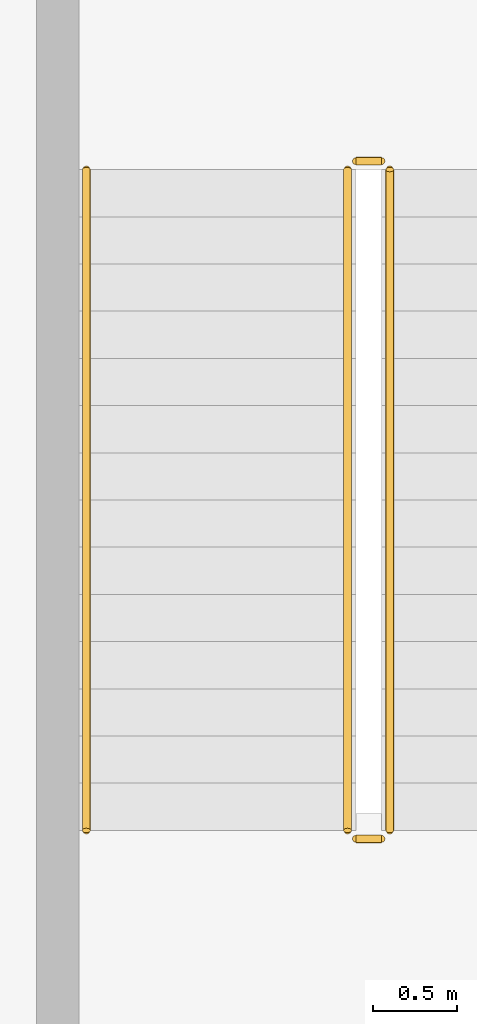
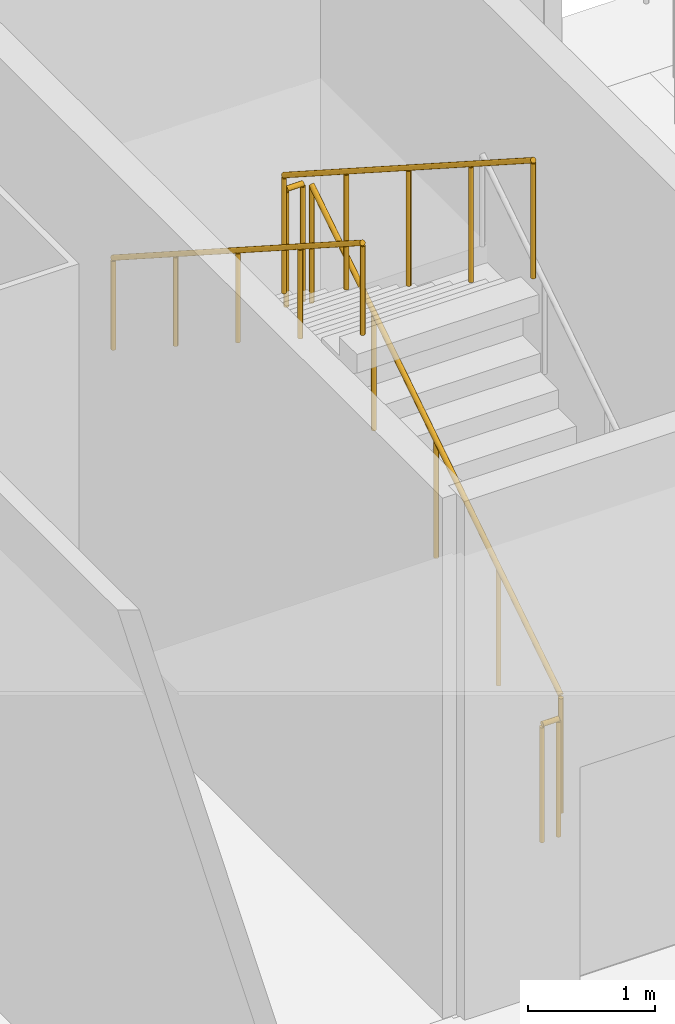
# One storey, part 35 of 36: 5 railings.
"""IFC4 building model written with IfcOpenShell, lengths in metres."""

from ifc_helpers import new_model, si_unit, direction, frame, origin, origin_2d, place, context, subcontext, project, spatial, circle, extrude, material, type_object, element, save


model = new_model("IFC4")

# Units and contexts
model_context = context("Model", 3, precision=1e-05, world=origin(), true_north=direction((0.0, 1.0)))
body_context = subcontext(model_context, "Body", "Model", "MODEL_VIEW")
ifc_project = project(units=[si_unit("LENGTHUNIT", "METRE"), si_unit("AREAUNIT", "SQUARE_METRE"), si_unit("VOLUMEUNIT", "CUBIC_METRE"), si_unit("PLANEANGLEUNIT", "RADIAN"), si_unit("MASSUNIT", "GRAM", prefix="KILO")], contexts=[model_context])

# Site, building, storey
site_placement = place(None, origin())
site = spatial("IfcSite", under=ifc_project, at=site_placement, CompositionType="ELEMENT")
building_placement = place(site_placement, origin())
building = spatial("IfcBuilding", under=site, at=building_placement, Name="Trevonay Congress Spire", CompositionType="ELEMENT")
storey_placement = place(building_placement, frame((0.0, 0.0, 16.199951171875)))
storey = spatial("IfcBuildingStorey", under=building, at=storey_placement, Name="L03", CompositionType="ELEMENT", Elevation=16.199951171875)

# Railings
ifc_material = material(Name="Pale Anodised Aluminium EN AW-6063-T6", Category="aluminium")
railing_type_1 = type_object("IfcRailingType", Name="RAL-STAIR-GUARD-110", PredefinedType="GUARDRAIL", material=ifc_material)
railing_1_placement = place(storey_placement, frame((27.199951171875, 16.85009765625, 0.179931640625)))
element("IfcRailing", 1, at=railing_1_placement, inside=storey, type_object=railing_type_1, Name="L03 ST-6 stair guard 1", PredefinedType="GUARDRAIL", context=body_context, shape_type="SweptSolid", body=[
    extrude(circle(Radius=0.02392578125, at=origin_2d()), frame((0.0, 0.0, 1.1259765625), z_axis=(0.0, 0.841171666519, 0.540768182723), x_axis=(-1.0, 0.0, 0.0)), (0.0, 0.0, 1.0), 4.66015625),
    extrude(circle(Radius=0.02099609375, at=origin_2d()), origin(), (0.0, 0.0, 1.0), 1.101806640625),
    extrude(circle(Radius=0.02099609375, at=origin_2d()), frame((0.0, 0.97998046875, 0.6298828125)), (0.0, 0.0, 1.0), 1.101806640625),
    extrude(circle(Radius=0.02099609375, at=origin_2d()), frame((0.0, 1.9599609375, 1.260009765625)), (0.0, 0.0, 1.0), 1.101806640625),
    extrude(circle(Radius=0.02099609375, at=origin_2d()), frame((0.0, 2.93994140625, 1.89013671875)), (0.0, 0.0, 1.0), 1.101806640625),
    extrude(circle(Radius=0.02099609375, at=origin_2d()), frame((0.0, 3.919921875, 2.52001953125)), (0.0, 0.0, 1.0), 1.101806640625),
])
railing_2_placement = place(storey_placement, frame((27.14990234375, 20.820068359375, 2.699951171875)))
element("IfcRailing", 2, at=railing_2_placement, inside=storey, type_object=railing_type_1, Name="L03 ST-6 stair guard 2", PredefinedType="GUARDRAIL", context=body_context, shape_type="SweptSolid", body=[
    extrude(circle(Radius=0.02392578125, at=origin_2d()), frame((0.0, 0.0, 1.1259765625), z_axis=(-1.0, 0.0, 0.0), x_axis=(0.0, -1.0, 0.0)), (0.0, 0.0, 1.0), 0.14990234375),
    extrude(circle(Radius=0.02099609375, at=origin_2d()), origin(), (0.0, 0.0, 1.0), 1.101806640625),
    extrude(circle(Radius=0.02099609375, at=origin_2d()), frame((-0.14990234375, 0.0, 0.0)), (0.0, 0.0, 1.0), 1.101806640625),
])
railing_3_placement = place(storey_placement, frame((26.949951171875, 20.77001953125, 2.880126953125)))
element("IfcRailing", 3, at=railing_3_placement, inside=storey, type_object=railing_type_1, Name="L03 ST-6 stair guard 3", PredefinedType="GUARDRAIL", context=body_context, shape_type="SweptSolid", body=[
    extrude(circle(Radius=0.02392578125, at=origin_2d()), frame((0.0, 0.0, 1.1259765625), z_axis=(0.0, -0.841171666519, 0.540768182723), x_axis=(1.0, 0.0, 0.0)), (0.0, 0.0, 1.0), 4.66015625),
    extrude(circle(Radius=0.02099609375, at=origin_2d()), origin(), (0.0, 0.0, 1.0), 1.101806640625),
    extrude(circle(Radius=0.02099609375, at=origin_2d()), frame((0.0, -0.97998046875, 0.6298828125)), (0.0, 0.0, 1.0), 1.101806640625),
    extrude(circle(Radius=0.02099609375, at=origin_2d()), frame((0.0, -1.9599609375, 1.260009765625)), (0.0, 0.0, 1.0), 1.101806640625),
    extrude(circle(Radius=0.02099609375, at=origin_2d()), frame((0.0, -2.93994140625, 1.89013671875)), (0.0, 0.0, 1.0), 1.101806640625),
    extrude(circle(Radius=0.02099609375, at=origin_2d()), frame((0.0, -3.919921875, 2.52001953125)), (0.0, 0.0, 1.0), 1.101806640625),
])
railing_4_placement = place(storey_placement, frame((27.14990234375, 16.800048828125, 0.0)))
element("IfcRailing", 4, at=railing_4_placement, inside=storey, type_object=railing_type_1, Name="L03 ST-6 stair guard 4", PredefinedType="GUARDRAIL", context=body_context, shape_type="SweptSolid", body=[
    extrude(circle(Radius=0.02392578125, at=origin_2d()), frame((0.0, 0.0, 1.1259765625), z_axis=(-1.0, 0.0, 0.0), x_axis=(0.0, -1.0, 0.0)), (0.0, 0.0, 1.0), 0.14990234375),
    extrude(circle(Radius=0.02099609375, at=origin_2d()), origin(), (0.0, 0.0, 1.0), 1.101806640625),
    extrude(circle(Radius=0.02099609375, at=origin_2d()), frame((-0.14990234375, 0.0, 0.0)), (0.0, 0.0, 1.0), 1.101806640625),
])
railing_type_2 = type_object("IfcRailingType", Name="RAL-STAIR-HANDRAIL", PredefinedType="HANDRAIL", material=ifc_material)
railing_5_placement = place(storey_placement, frame((25.39990234375, 20.77001953125, 2.880126953125)))
element("IfcRailing", 5, at=railing_5_placement, inside=storey, type_object=railing_type_2, Name="L03 ST-6 stair handrail 2", PredefinedType="HANDRAIL", context=body_context, shape_type="SweptSolid", body=[
    extrude(circle(Radius=0.02392578125, at=origin_2d()), frame((0.0, 0.0, 0.8759765625), z_axis=(0.0, -0.841171666519, 0.540768182723), x_axis=(1.0, 0.0, 0.0)), (0.0, 0.0, 1.0), 4.66015625),
    extrude(circle(Radius=0.02099609375, at=origin_2d()), origin(), (0.0, 0.0, 1.0), 0.851806640625),
    extrude(circle(Radius=0.02099609375, at=origin_2d()), frame((0.0, -0.97998046875, 0.6298828125)), (0.0, 0.0, 1.0), 0.851806640625),
    extrude(circle(Radius=0.02099609375, at=origin_2d()), frame((0.0, -1.9599609375, 1.260009765625)), (0.0, 0.0, 1.0), 0.851806640625),
    extrude(circle(Radius=0.02099609375, at=origin_2d()), frame((0.0, -2.93994140625, 1.89013671875)), (0.0, 0.0, 1.0), 0.851806640625),
    extrude(circle(Radius=0.02099609375, at=origin_2d()), frame((0.0, -3.919921875, 2.52001953125)), (0.0, 0.0, 1.0), 0.851806640625),
])

save(model, "model.ifc")
